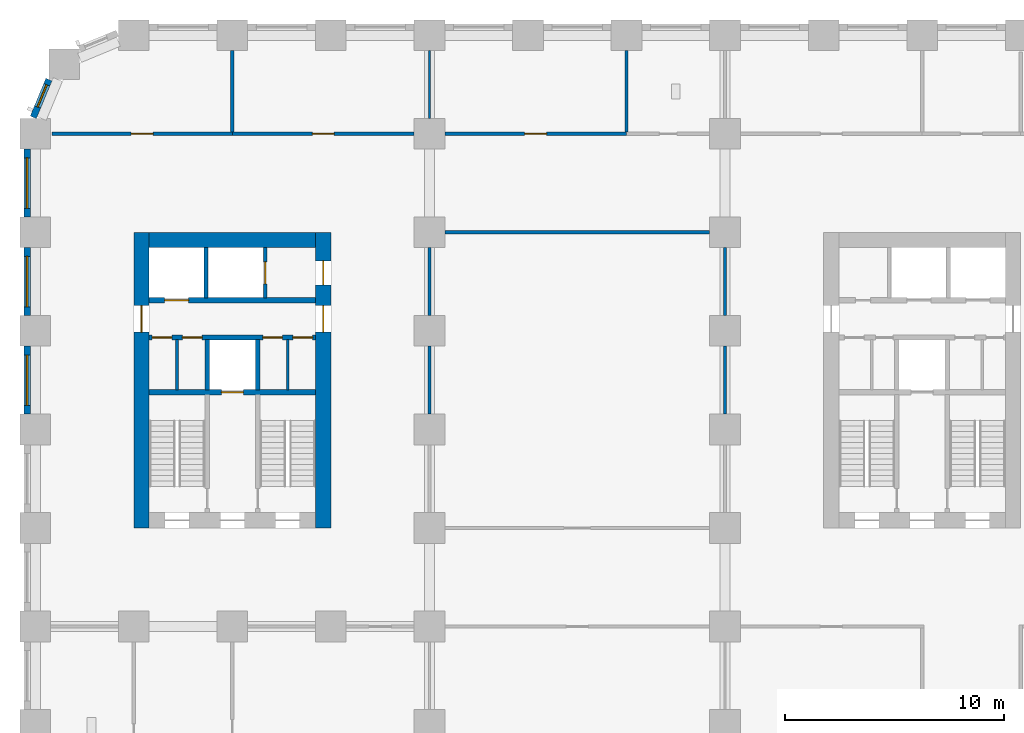
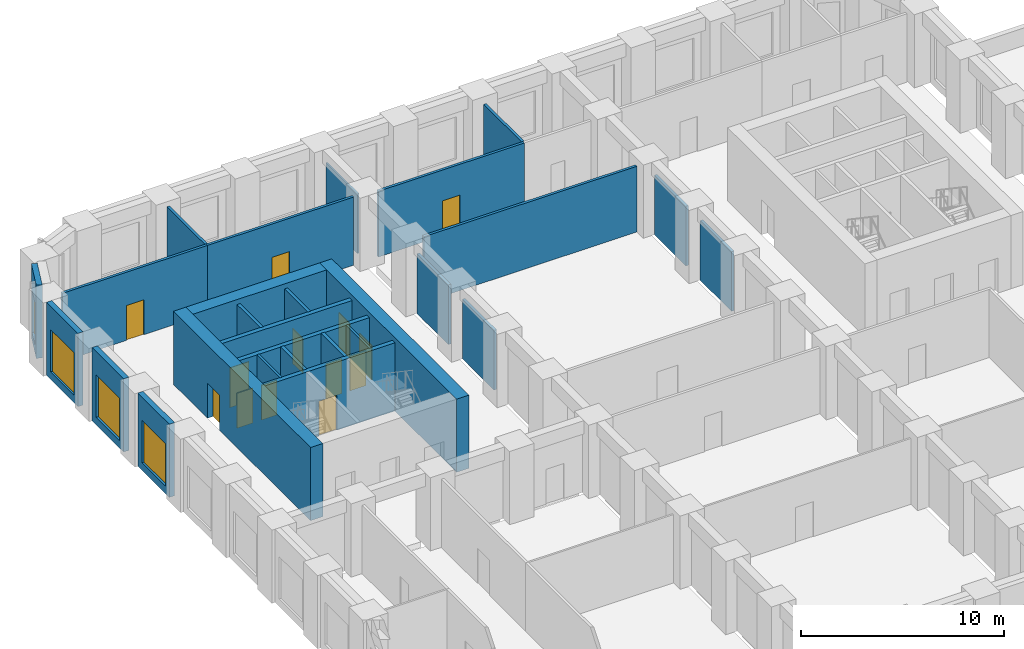
# One storey, part 6 of 14: 27 walls, 13 doors, 4 windows, 17 openings.
"""IFC4 building model written with IfcOpenShell, lengths in metres."""

from ifc_helpers import new_model, si_unit, direction, frame, frame_2d, origin, place, context, subcontext, project, spatial, rectangle, extrude, material, layer, layer_set, type_object, element, fill, save


model = new_model("IFC4")

# Units and contexts
model_context = context("Model", 3, precision=1e-05, world=origin(), true_north=direction((0.0, 1.0)))
body_context = subcontext(model_context, "Body", "Model", "MODEL_VIEW")
ifc_project = project(units=[si_unit("LENGTHUNIT", "METRE"), si_unit("AREAUNIT", "SQUARE_METRE"), si_unit("VOLUMEUNIT", "CUBIC_METRE"), si_unit("PLANEANGLEUNIT", "RADIAN"), si_unit("MASSUNIT", "GRAM", prefix="KILO")], contexts=[model_context])

# Site, building, storey
site_placement = place(None, origin())
site = spatial("IfcSite", under=ifc_project, at=site_placement, CompositionType="ELEMENT")
building_placement = place(site_placement, origin())
building = spatial("IfcBuilding", under=site, at=building_placement, Name="Girih Gate Residences", CompositionType="ELEMENT")
storey_placement = place(building_placement, frame((0.0, 0.0, 26.0)))
storey = spatial("IfcBuildingStorey", under=building, at=storey_placement, Name="L05", CompositionType="ELEMENT", Elevation=26.0)

# Walls
ifc_material_1 = material(Name="Gypsum board on steel studs", Category="steel")
ifc_layer_1 = layer(ifc_material_1, 0.14990234375)
ifc_layer_set_1 = layer_set([ifc_layer_1], Name="Compartment wall 150 mm")
wall_type_1 = type_object("IfcWallType", Name="Compartment wall 150 mm", PredefinedType="PARTITIONING", material=ifc_layer_set_1)
wall_1_placement = place(storey_placement, frame((18.699951171875, 40.5, 0.0), z_axis=(0.0, 0.0, 1.0), x_axis=(1.0, 0.0, 0.0)))
element("IfcWall", 1, at=wall_1_placement, inside=storey, type_object=wall_type_1, Name="L05 partition", PredefinedType="PARTITIONING", context=body_context, shape_type="SweptSolid", body=[
    extrude(rectangle(XDim=12.10009765625, YDim=0.14990234375, at=frame_2d((6.050048828125, 0.0))), origin(), (0.0, 0.0, 1.0), 3.949951171875),
])
for number, where, z_axis, x_axis, name in (
    (2, (31.5, 36.699951171875, 0.0), (0.0, 0.0, 1.0), (0.0, 1.0, 0.0), "L05 partition"),
    (3, (31.5, 32.199951171875, 0.0), (0.0, 0.0, 1.0), (0.0, 1.0, 0.0), "L05 partition"),
    (4, (18.0, 32.199951171875, 0.0), (0.0, 0.0, 1.0), (0.0, 1.0, 0.0), "L05 partition"),
    (5, (18.0, 36.699951171875, 0.0), (0.0, 0.0, 1.0), (0.0, 1.0, 0.0), "L05 partition"),
):
    element("IfcWall", number, at=place(storey_placement, frame(where, z_axis=z_axis, x_axis=x_axis)), inside=storey, type_object=wall_type_1, Name=name, PredefinedType="PARTITIONING", context=body_context, shape_type="SweptSolid", body=[
        extrude(rectangle(XDim=3.10009765625, YDim=0.14990234375, at=frame_2d((1.550048828125, 0.0))), origin(), (0.0, 0.0, 1.0), 3.580078125),
    ])
wall_2_placement = place(storey_placement, frame((27.0, 45.074951171875, 0.0), z_axis=(0.0, 0.0, 1.0), x_axis=(0.0, 1.0, 0.0)))
element("IfcWall", 6, at=wall_2_placement, inside=storey, type_object=wall_type_1, Name="L05 partition", PredefinedType="PARTITIONING", context=body_context, shape_type="SweptSolid", body=[
    extrude(rectangle(XDim=3.72509765625, YDim=0.14990234375, at=frame_2d((1.862548828125, 0.0))), origin(), (0.0, 0.0, 1.0), 3.949951171875),
])

# Wall, opening, door
wall_3_placement = place(storey_placement, frame((18.699951171875, 45.0, 0.0), z_axis=(0.0, 0.0, 1.0), x_axis=(1.0, 0.0, 0.0)))
wall_3 = element("IfcWall", 7, at=wall_3_placement, inside=storey, type_object=wall_type_1, Name="L05 partition", PredefinedType="PARTITIONING", context=body_context, shape_type="SweptSolid", body=[
    extrude(rectangle(XDim=8.300048828125, YDim=0.14990234375, at=frame_2d((4.14990234375, 0.0))), origin(), (0.0, 0.0, 1.0), 3.949951171875),
])
opening_1_placement = place(wall_3_placement, frame((3.64990234375, 0.0, 0.0)))
opening_1 = element("IfcOpeningElement", 8, at=opening_1_placement, cuts=wall_3, Name="Opening D-L05-S-003", PredefinedType="OPENING", context=body_context, shape_type="SweptSolid", body=[
    extrude(rectangle(XDim=1.0, YDim=2.10009765625, at=frame_2d((0.5, 1.050048828125))), frame((0.0, 0.0849609375, 0.0), z_axis=(0.0, -1.0, 0.0), x_axis=(1.0, 0.0, 0.0)), (0.0, 0.0, 1.0), 0.169921875),
])
ifc_material_2 = material(Name="Timber, fire-rated core", Category="wood")
door_type_1 = type_object("IfcDoorType", Name="Amenity door 1000x2100 FD30S", OperationType="SINGLE_SWING_LEFT", PredefinedType="DOOR", material=ifc_material_2)
door_1_placement = place(opening_1_placement, origin())
door_1 = element("IfcDoor", 9, at=door_1_placement, inside=storey, type_object=door_type_1, Name="Door L05-003", OperationType="SINGLE_SWING_RIGHT", OverallHeight=2.10009765625, OverallWidth=1.0, PredefinedType="DOOR", context=body_context, shape_type="SweptSolid", body=[
    extrude(rectangle(XDim=1.0, YDim=2.10009765625, at=frame_2d((0.5, 1.050048828125))), frame((0.0, 0.02490234375, 0.0), z_axis=(0.0, -1.0, 0.0), x_axis=(1.0, 0.0, 0.0)), (0.0, 0.0, 1.0), 0.050048828125),
])
fill(opening_1, door_1)

# Wall
wall_4_placement = place(storey_placement, frame((9.0, 45.074951171875, 0.0), z_axis=(0.0, 0.0, 1.0), x_axis=(0.0, 1.0, 0.0)))
element("IfcWall", 10, at=wall_4_placement, inside=storey, type_object=wall_type_1, Name="L05 partition", PredefinedType="PARTITIONING", context=body_context, shape_type="SweptSolid", body=[
    extrude(rectangle(XDim=3.72509765625, YDim=0.14990234375, at=frame_2d((1.862548828125, 0.0))), origin(), (0.0, 0.0, 1.0), 4.10009765625),
])

# Wall, opening, door
wall_5_placement = place(storey_placement, frame((0.757568359375, 45.0, 0.0), z_axis=(0.0, 0.0, 1.0), x_axis=(1.0, 0.0, 0.0)))
wall_5 = element("IfcWall", 11, at=wall_5_placement, inside=storey, type_object=wall_type_1, Name="L05 partition", PredefinedType="PARTITIONING", context=body_context, shape_type="SweptSolid", body=[
    extrude(rectangle(XDim=8.242431640625, YDim=0.14990234375, at=frame_2d((4.12109375, 0.0))), origin(), (0.0, 0.0, 1.0), 4.10009765625),
])
opening_2_placement = place(wall_5_placement, frame((3.62109375, 0.0, 0.0)))
opening_2 = element("IfcOpeningElement", 12, at=opening_2_placement, cuts=wall_5, Name="Opening D-L05-S-016", PredefinedType="OPENING", context=body_context, shape_type="SweptSolid", body=[
    extrude(rectangle(XDim=1.0, YDim=2.10009765625, at=frame_2d((0.5, 1.050048828125))), frame((0.0, 0.0849609375, 0.0), z_axis=(0.0, -1.0, 0.0), x_axis=(1.0, 0.0, 0.0)), (0.0, 0.0, 1.0), 0.169921875),
])
door_2_placement = place(opening_2_placement, origin())
door_2 = element("IfcDoor", 13, at=door_2_placement, inside=storey, type_object=door_type_1, Name="Door L05-016", OperationType="SINGLE_SWING_RIGHT", OverallHeight=2.10009765625, OverallWidth=1.0, PredefinedType="DOOR", context=body_context, shape_type="SweptSolid", body=[
    extrude(rectangle(XDim=1.0, YDim=2.10009765625, at=frame_2d((0.5, 1.050048828125))), frame((0.0, 0.02490234375, 0.0), z_axis=(0.0, -1.0, 0.0), x_axis=(1.0, 0.0, 0.0)), (0.0, 0.0, 1.0), 0.050048828125),
])
fill(opening_2, door_2)

wall_6_placement = place(storey_placement, frame((9.0, 45.0, 0.0), z_axis=(0.0, 0.0, 1.0), x_axis=(1.0, 0.0, 0.0)))
wall_6 = element("IfcWall", 14, at=wall_6_placement, inside=storey, type_object=wall_type_1, Name="L05 partition", PredefinedType="PARTITIONING", context=body_context, shape_type="SweptSolid", body=[
    extrude(rectangle(XDim=8.300048828125, YDim=0.14990234375, at=frame_2d((4.14990234375, 0.0))), origin(), (0.0, 0.0, 1.0), 4.10009765625),
])
opening_3_placement = place(wall_6_placement, frame((3.64990234375, 0.0, 0.0)))
opening_3 = element("IfcOpeningElement", 15, at=opening_3_placement, cuts=wall_6, Name="Opening D-L05-S-017", PredefinedType="OPENING", context=body_context, shape_type="SweptSolid", body=[
    extrude(rectangle(XDim=1.0, YDim=2.10009765625, at=frame_2d((0.5, 1.050048828125))), frame((0.0, 0.0849609375, 0.0), z_axis=(0.0, -1.0, 0.0), x_axis=(1.0, 0.0, 0.0)), (0.0, 0.0, 1.0), 0.169921875),
])
door_3_placement = place(opening_3_placement, origin())
door_3 = element("IfcDoor", 16, at=door_3_placement, inside=storey, type_object=door_type_1, Name="Door L05-017", OperationType="SINGLE_SWING_RIGHT", OverallHeight=2.10009765625, OverallWidth=1.0, PredefinedType="DOOR", context=body_context, shape_type="SweptSolid", body=[
    extrude(rectangle(XDim=1.0, YDim=2.10009765625, at=frame_2d((0.5, 1.050048828125))), frame((0.0, 0.02490234375, 0.0), z_axis=(0.0, -1.0, 0.0), x_axis=(1.0, 0.0, 0.0)), (0.0, 0.0, 1.0), 0.050048828125),
])
fill(opening_3, door_3)

# Wall
ifc_material_3 = material(Name="Concrete C60/75", Category="concrete")
ifc_layer_2 = layer(ifc_material_3, 0.699951171875)
ifc_layer_set_2 = layer_set([ifc_layer_2], Name="Core wall RC 700 Concrete C60/75")
wall_type_2 = type_object("IfcWallType", Name="Core wall RC 700 Concrete C60/75", PredefinedType="SOLIDWALL", material=ifc_layer_set_2)
wall_7_placement = place(storey_placement, frame((5.199951171875, 40.14990234375, 0.0), z_axis=(0.0, 0.0, 1.0), x_axis=(1.0, 0.0, 0.0)))
element("IfcWall", 17, at=wall_7_placement, inside=storey, type_object=wall_type_2, Name="Core wall W-N L05", PredefinedType="SOLIDWALL", context=body_context, shape_type="SweptSolid", body=[
    extrude(rectangle(XDim=7.60009765625, YDim=0.699951171875, at=frame_2d((3.800048828125, 0.0))), origin(), (0.0, 0.0, 1.0), 4.39990234375),
])

# Wall, opening, door
wall_8_placement = place(storey_placement, frame((4.85009765625, 27.0, 0.0), z_axis=(0.0, 0.0, 1.0), x_axis=(0.0, 1.0, 0.0)))
wall_8 = element("IfcWall", 18, at=wall_8_placement, inside=storey, type_object=wall_type_2, Name="Core wall W-W L05", PredefinedType="SOLIDWALL", context=body_context, shape_type="SweptSolid", body=[
    extrude(rectangle(XDim=13.5, YDim=0.699951171875, at=frame_2d((6.75, 0.0))), origin(), (0.0, 0.0, 1.0), 4.39990234375),
])
opening_4_placement = place(wall_8_placement, frame((8.949951171875, 0.0, 0.0)))
opening_4 = element("IfcOpeningElement", 19, at=opening_4_placement, cuts=wall_8, Name="Opening D-L05-W-014", PredefinedType="OPENING", context=body_context, shape_type="SweptSolid", body=[
    extrude(rectangle(XDim=1.199951171875, YDim=2.10009765625, at=frame_2d((0.60009765625, 1.050048828125))), frame((0.0, 0.35986328125, 0.0), z_axis=(0.0, -1.0, 0.0), x_axis=(1.0, 0.0, 0.0)), (0.0, 0.0, 1.0), 0.719970703125),
])
ifc_material_4 = material(Name="Painted steel, fire-resisting", Category="steel")
door_type_2 = type_object("IfcDoorType", Name="Fire door 1200x2100", OperationType="SINGLE_SWING_LEFT", PredefinedType="DOOR", material=ifc_material_4)
door_4_placement = place(opening_4_placement, origin())
door_4 = element("IfcDoor", 20, at=door_4_placement, inside=storey, type_object=door_type_2, Name="L05 W core door ll-w", OperationType="SINGLE_SWING_LEFT", OverallHeight=2.10009765625, OverallWidth=1.199951171875, PredefinedType="DOOR", context=body_context, shape_type="SweptSolid", body=[
    extrude(rectangle(XDim=1.199951171875, YDim=2.10009765625, at=frame_2d((0.60009765625, 1.050048828125))), frame((0.0, 0.02490234375, 0.0), z_axis=(0.0, -1.0, 0.0), x_axis=(1.0, 0.0, 0.0)), (0.0, 0.0, 1.0), 0.050048828125),
])
fill(opening_4, door_4)

# Wall, openings, doors
wall_9_placement = place(storey_placement, frame((13.14990234375, 27.0, 0.0), z_axis=(0.0, 0.0, 1.0), x_axis=(0.0, 1.0, 0.0)))
wall_9 = element("IfcWall", 21, at=wall_9_placement, inside=storey, type_object=wall_type_2, Name="Core wall W-E L05", PredefinedType="SOLIDWALL", context=body_context, shape_type="SweptSolid", body=[
    extrude(rectangle(XDim=13.5, YDim=0.699951171875, at=frame_2d((6.75, 0.0))), origin(), (0.0, 0.0, 1.0), 4.39990234375),
])
opening_5_placement = place(wall_9_placement, frame((11.10009765625, 0.0, 0.0)))
opening_5 = element("IfcOpeningElement", 22, at=opening_5_placement, cuts=wall_9, Name="Opening D-L05-W-013", PredefinedType="OPENING", context=body_context, shape_type="SweptSolid", body=[
    extrude(rectangle(XDim=1.10009765625, YDim=2.10009765625, at=frame_2d((0.550048828125, 1.050048828125))), frame((0.0, 0.35986328125, 0.0), z_axis=(0.0, -1.0, 0.0), x_axis=(1.0, 0.0, 0.0)), (0.0, 0.0, 1.0), 0.719970703125),
])
opening_6_placement = place(wall_9_placement, frame((8.949951171875, 0.0, 0.0)))
opening_6 = element("IfcOpeningElement", 23, at=opening_6_placement, cuts=wall_9, Name="Opening D-L05-W-015", PredefinedType="OPENING", context=body_context, shape_type="SweptSolid", body=[
    extrude(rectangle(XDim=1.199951171875, YDim=2.10009765625, at=frame_2d((0.60009765625, 1.050048828125))), frame((0.0, 0.35986328125, 0.0), z_axis=(0.0, -1.0, 0.0), x_axis=(1.0, 0.0, 0.0)), (0.0, 0.0, 1.0), 0.719970703125),
])
door_type_3 = type_object("IfcDoorType", Name="Fire door 1100x2100", OperationType="SINGLE_SWING_LEFT", PredefinedType="DOOR", material=ifc_material_4)
door_5_placement = place(opening_5_placement, origin())
door_5 = element("IfcDoor", 24, at=door_5_placement, inside=storey, type_object=door_type_3, Name="L05 W core door ffl2-e", OperationType="SINGLE_SWING_LEFT", OverallHeight=2.10009765625, OverallWidth=1.10009765625, PredefinedType="DOOR", context=body_context, shape_type="SweptSolid", body=[
    extrude(rectangle(XDim=1.10009765625, YDim=2.10009765625, at=frame_2d((0.550048828125, 1.050048828125))), frame((0.0, 0.02490234375, 0.0), z_axis=(0.0, -1.0, 0.0), x_axis=(1.0, 0.0, 0.0)), (0.0, 0.0, 1.0), 0.050048828125),
])
fill(opening_5, door_5)
door_6_placement = place(opening_6_placement, origin())
door_6 = element("IfcDoor", 25, at=door_6_placement, inside=storey, type_object=door_type_2, Name="L05 W core door ll-e", OperationType="SINGLE_SWING_LEFT", OverallHeight=2.10009765625, OverallWidth=1.199951171875, PredefinedType="DOOR", context=body_context, shape_type="SweptSolid", body=[
    extrude(rectangle(XDim=1.199951171875, YDim=2.10009765625, at=frame_2d((0.60009765625, 1.050048828125))), frame((0.0, 0.02490234375, 0.0), z_axis=(0.0, -1.0, 0.0), x_axis=(1.0, 0.0, 0.0)), (0.0, 0.0, 1.0), 0.050048828125),
])
fill(opening_6, door_6)

# Wall, opening, door
ifc_material_5 = material(Name="Concrete C40/50", Category="concrete")
ifc_layer_3 = layer(ifc_material_5, 0.25)
ifc_layer_set_3 = layer_set([ifc_layer_3], Name="Lift shaft wall 250")
wall_type_3 = type_object("IfcWallType", Name="Lift shaft wall 250", PredefinedType="SOLIDWALL", material=ifc_layer_set_3)
wall_10_placement = place(storey_placement, frame((5.199951171875, 33.199951171875, 0.0), z_axis=(0.0, 0.0, 1.0), x_axis=(1.0, 0.0, 0.0)))
wall_10 = element("IfcWall", 26, at=wall_10_placement, inside=storey, type_object=wall_type_3, Name="L05 W core wall H1", PredefinedType="SOLIDWALL", context=body_context, shape_type="SweptSolid", body=[
    extrude(rectangle(XDim=7.60009765625, YDim=0.25, at=frame_2d((3.800048828125, 0.0))), origin(), (0.0, 0.0, 1.0), 4.10009765625),
])
opening_7_placement = place(wall_10_placement, frame((3.300048828125, 0.0, 0.0)))
opening_7 = element("IfcOpeningElement", 27, at=opening_7_placement, cuts=wall_10, Name="Opening D-L05-W-005", PredefinedType="OPENING", context=body_context, shape_type="SweptSolid", body=[
    extrude(rectangle(XDim=1.0, YDim=2.10009765625, at=frame_2d((0.5, 1.050048828125))), frame((0.0, 0.135009765625, 0.0), z_axis=(0.0, -1.0, 0.0), x_axis=(1.0, 0.0, 0.0)), (0.0, 0.0, 1.0), 0.27001953125),
])
ifc_material_6 = material(Name="Stainless steel, fire-resisting", Category="steel")
door_type_4 = type_object("IfcDoorType", Name="Firefighting lift landing door 1000x2100", OperationType="SLIDING_TO_LEFT", PredefinedType="DOOR", material=ifc_material_6)
door_7_placement = place(opening_7_placement, origin())
door_7 = element("IfcDoor", 28, at=door_7_placement, inside=storey, type_object=door_type_4, Name="L05 lift FF-W landing door", OperationType="SLIDING_TO_LEFT", OverallHeight=2.10009765625, OverallWidth=1.0, PredefinedType="DOOR", context=body_context, shape_type="SweptSolid", body=[
    extrude(rectangle(XDim=1.0, YDim=2.10009765625, at=frame_2d((0.5, 1.050048828125))), frame((0.0, 0.02490234375, 0.0), z_axis=(0.0, -1.0, 0.0), x_axis=(1.0, 0.0, 0.0)), (0.0, 0.0, 1.0), 0.050048828125),
])
fill(opening_7, door_7)

# Wall, openings, doors
wall_11_placement = place(storey_placement, frame((5.199951171875, 35.699951171875, 0.0), z_axis=(0.0, 0.0, 1.0), x_axis=(1.0, 0.0, 0.0)))
wall_11 = element("IfcWall", 29, at=wall_11_placement, inside=storey, type_object=wall_type_3, Name="L05 W core wall H2", PredefinedType="SOLIDWALL", context=body_context, shape_type="SweptSolid", body=[
    extrude(rectangle(XDim=7.60009765625, YDim=0.25, at=frame_2d((3.800048828125, 0.0))), origin(), (0.0, 0.0, 1.0), 4.10009765625),
])
opening_8_placement = place(wall_11_placement, frame((0.137451171875, 0.0, 0.0)))
opening_8 = element("IfcOpeningElement", 30, at=opening_8_placement, cuts=wall_11, Name="Opening D-L05-W-006", PredefinedType="OPENING", context=body_context, shape_type="SweptSolid", body=[
    extrude(rectangle(XDim=0.89990234375, YDim=2.10009765625, at=frame_2d((0.449951171875, 1.050048828125))), frame((0.0, 0.135009765625, 0.0), z_axis=(0.0, -1.0, 0.0), x_axis=(1.0, 0.0, 0.0)), (0.0, 0.0, 1.0), 0.27001953125),
])
opening_9_placement = place(wall_11_placement, frame((1.512451171875, 0.0, 0.0)))
opening_9 = element("IfcOpeningElement", 31, at=opening_9_placement, cuts=wall_11, Name="Opening D-L05-W-007", PredefinedType="OPENING", context=body_context, shape_type="SweptSolid", body=[
    extrude(rectangle(XDim=0.89990234375, YDim=2.10009765625, at=frame_2d((0.449951171875, 1.050048828125))), frame((0.0, 0.135009765625, 0.0), z_axis=(0.0, -1.0, 0.0), x_axis=(1.0, 0.0, 0.0)), (0.0, 0.0, 1.0), 0.27001953125),
])
opening_10_placement = place(wall_11_placement, frame((5.1875, 0.0, 0.0)))
opening_10 = element("IfcOpeningElement", 32, at=opening_10_placement, cuts=wall_11, Name="Opening D-L05-W-008", PredefinedType="OPENING", context=body_context, shape_type="SweptSolid", body=[
    extrude(rectangle(XDim=0.89990234375, YDim=2.10009765625, at=frame_2d((0.449951171875, 1.050048828125))), frame((0.0, 0.135009765625, 0.0), z_axis=(0.0, -1.0, 0.0), x_axis=(1.0, 0.0, 0.0)), (0.0, 0.0, 1.0), 0.27001953125),
])
opening_11_placement = place(wall_11_placement, frame((6.5625, 0.0, 0.0)))
opening_11 = element("IfcOpeningElement", 33, at=opening_11_placement, cuts=wall_11, Name="Opening D-L05-W-009", PredefinedType="OPENING", context=body_context, shape_type="SweptSolid", body=[
    extrude(rectangle(XDim=0.89990234375, YDim=2.10009765625, at=frame_2d((0.449951171875, 1.050048828125))), frame((0.0, 0.135009765625, 0.0), z_axis=(0.0, -1.0, 0.0), x_axis=(1.0, 0.0, 0.0)), (0.0, 0.0, 1.0), 0.27001953125),
])
door_type_5 = type_object("IfcDoorType", Name="Fire door 900x2100", OperationType="SINGLE_SWING_LEFT", PredefinedType="DOOR", material=ifc_material_4)
door_8_placement = place(opening_8_placement, origin())
door_8 = element("IfcDoor", 34, at=door_8_placement, inside=storey, type_object=door_type_5, Name="L05 W linen store door", OperationType="SINGLE_SWING_LEFT", OverallHeight=2.10009765625, OverallWidth=0.89990234375, PredefinedType="DOOR", context=body_context, shape_type="SweptSolid", body=[
    extrude(rectangle(XDim=0.89990234375, YDim=2.10009765625, at=frame_2d((0.449951171875, 1.050048828125))), frame((0.0, 0.02490234375, 0.0), z_axis=(0.0, -1.0, 0.0), x_axis=(1.0, 0.0, 0.0)), (0.0, 0.0, 1.0), 0.050048828125),
])
fill(opening_8, door_8)
door_9_placement = place(opening_9_placement, origin())
door_9 = element("IfcDoor", 35, at=door_9_placement, inside=storey, type_object=door_type_5, Name="L05 W store door", OperationType="SINGLE_SWING_LEFT", OverallHeight=2.10009765625, OverallWidth=0.89990234375, PredefinedType="DOOR", context=body_context, shape_type="SweptSolid", body=[
    extrude(rectangle(XDim=0.89990234375, YDim=2.10009765625, at=frame_2d((0.449951171875, 1.050048828125))), frame((0.0, 0.02490234375, 0.0), z_axis=(0.0, -1.0, 0.0), x_axis=(1.0, 0.0, 0.0)), (0.0, 0.0, 1.0), 0.050048828125),
])
fill(opening_9, door_9)
door_10_placement = place(opening_10_placement, origin())
door_10 = element("IfcDoor", 36, at=door_10_placement, inside=storey, type_object=door_type_5, Name="L05 W housekeeping store door", OperationType="SINGLE_SWING_LEFT", OverallHeight=2.10009765625, OverallWidth=0.89990234375, PredefinedType="DOOR", context=body_context, shape_type="SweptSolid", body=[
    extrude(rectangle(XDim=0.89990234375, YDim=2.10009765625, at=frame_2d((0.449951171875, 1.050048828125))), frame((0.0, 0.02490234375, 0.0), z_axis=(0.0, -1.0, 0.0), x_axis=(1.0, 0.0, 0.0)), (0.0, 0.0, 1.0), 0.050048828125),
])
fill(opening_10, door_10)
door_11_placement = place(opening_11_placement, origin())
door_11 = element("IfcDoor", 37, at=door_11_placement, inside=storey, type_object=door_type_5, Name="L05 W refuse store door", OperationType="SINGLE_SWING_LEFT", OverallHeight=2.10009765625, OverallWidth=0.89990234375, PredefinedType="DOOR", context=body_context, shape_type="SweptSolid", body=[
    extrude(rectangle(XDim=0.89990234375, YDim=2.10009765625, at=frame_2d((0.449951171875, 1.050048828125))), frame((0.0, 0.02490234375, 0.0), z_axis=(0.0, -1.0, 0.0), x_axis=(1.0, 0.0, 0.0)), (0.0, 0.0, 1.0), 0.050048828125),
])
fill(opening_11, door_11)

# Wall, opening, door
wall_12_placement = place(storey_placement, frame((5.199951171875, 37.39990234375, 0.0), z_axis=(0.0, 0.0, 1.0), x_axis=(1.0, 0.0, 0.0)))
wall_12 = element("IfcWall", 38, at=wall_12_placement, inside=storey, type_object=wall_type_3, Name="L05 W core wall H3", PredefinedType="SOLIDWALL", context=body_context, shape_type="SweptSolid", body=[
    extrude(rectangle(XDim=7.60009765625, YDim=0.25, at=frame_2d((3.800048828125, 0.0))), origin(), (0.0, 0.0, 1.0), 4.10009765625),
])
opening_12_placement = place(wall_12_placement, frame((0.699951171875, 0.0, 0.0)))
opening_12 = element("IfcOpeningElement", 39, at=opening_12_placement, cuts=wall_12, Name="Opening D-L05-W-003", PredefinedType="OPENING", context=body_context, shape_type="SweptSolid", body=[
    extrude(rectangle(XDim=1.10009765625, YDim=2.39990234375, at=frame_2d((0.550048828125, 1.199951171875))), frame((0.0, 0.135009765625, 0.0), z_axis=(0.0, -1.0, 0.0), x_axis=(1.0, 0.0, 0.0)), (0.0, 0.0, 1.0), 0.27001953125),
])
ifc_material_7 = material(Name="Stainless steel", Category="steel")
door_type_6 = type_object("IfcDoorType", Name="Lift landing door 1100x2400", OperationType="SLIDING_TO_LEFT", PredefinedType="DOOR", material=ifc_material_7)
door_12_placement = place(opening_12_placement, origin())
door_12 = element("IfcDoor", 40, at=door_12_placement, inside=storey, type_object=door_type_6, Name="L05 lift LR-W1 landing door", OperationType="SLIDING_TO_LEFT", OverallHeight=2.39990234375, OverallWidth=1.10009765625, PredefinedType="DOOR", context=body_context, shape_type="SweptSolid", body=[
    extrude(rectangle(XDim=1.10009765625, YDim=2.39990234375, at=frame_2d((0.550048828125, 1.199951171875))), frame((0.0, 0.02490234375, 0.0), z_axis=(0.0, -1.0, 0.0), x_axis=(1.0, 0.0, 0.0)), (0.0, 0.0, 1.0), 0.050048828125),
])
fill(opening_12, door_12)

# Wall
ifc_layer_4 = layer(ifc_material_1, 0.10009765625)
ifc_layer_set_4 = layer_set([ifc_layer_4], Name="Partition 100 mm")
wall_type_4 = type_object("IfcWallType", Name="Partition 100 mm", PredefinedType="PARTITIONING", material=ifc_layer_set_4)
wall_13_placement = place(storey_placement, frame((18.0, 45.699951171875, 0.0), z_axis=(0.0, 0.0, 1.0), x_axis=(0.0, 1.0, 0.0)))
element("IfcWall", 41, at=wall_13_placement, inside=storey, type_object=wall_type_4, Name="L05 partition", PredefinedType="PARTITIONING", context=body_context, shape_type="SweptSolid", body=[
    extrude(rectangle(XDim=3.10009765625, YDim=0.10009765625, at=frame_2d((1.550048828125, 0.0))), origin(), (0.0, 0.0, 1.0), 3.580078125),
])

# Wall, opening, window
ifc_material_8 = material(Name="Precast concrete C50/60", Category="concrete")
ifc_layer_5 = layer(ifc_material_8, 0.080078125, Name="Outer leaf")
ifc_material_9 = material(Name="Rigid PIR insulation")
ifc_layer_6 = layer(ifc_material_9, 0.14990234375, Name="Insulation")
ifc_material_10 = material(Name="Precast concrete C40/50", Category="concrete")
ifc_layer_7 = layer(ifc_material_10, 0.070068359375, Name="Inner leaf")
ifc_layer_set_5 = layer_set([ifc_layer_5, ifc_layer_6, ifc_layer_7], Name="Precast concrete C50/60 external wall 300")
wall_type_5 = type_object("IfcWallType", Name="Precast concrete C50/60 external wall 300", PredefinedType="SOLIDWALL", material=ifc_layer_set_5)
wall_14_placement = place(storey_placement, frame((-0.09228515625, 45.75732421875, 0.0), z_axis=(0.0, 0.0, 1.0), x_axis=(0.382737135771, 0.923857286003, 0.0)))
wall_14 = element("IfcWall", 42, at=wall_14_placement, inside=storey, type_object=wall_type_5, Name="External wall NW0013_0482.0", PredefinedType="SOLIDWALL", context=body_context, shape_type="SweptSolid", body=[
    extrude(rectangle(XDim=1.865234375, YDim=0.300048828125, at=frame_2d((0.9326171875, 0.0))), origin(), (0.0, 0.0, 1.0), 4.39990234375),
])
opening_13_placement = place(wall_14_placement, frame((0.507568359375, 0.0, 0.449951171875)))
opening_13 = element("IfcOpeningElement", 43, at=opening_13_placement, cuts=wall_14, Name="Opening W-2B", PredefinedType="OPENING", context=body_context, shape_type="SweptSolid", body=[
    extrude(rectangle(XDim=1.10009765625, YDim=2.550048828125, at=frame_2d((0.550048828125, 1.27490234375))), frame((0.0, 0.159912109375, 0.0), z_axis=(0.0, -1.0, 0.0), x_axis=(1.0, 0.0, 0.0)), (0.0, 0.0, 1.0), 0.320068359375),
])
ifc_material_11 = material(Name="Double glazing in aluminium frame", Category="aluminium")
window_type_1 = type_object("IfcWindowType", Name="Window W-2B 1100x2550", PartitioningType="SINGLE_PANEL", PredefinedType="WINDOW", material=ifc_material_11)
window_1_placement = place(opening_13_placement, origin())
window_1 = element("IfcWindow", 44, at=window_1_placement, inside=storey, type_object=window_type_1, Name="Window W-2B NW0013_0482.0", OverallHeight=2.550048828125, OverallWidth=1.10009765625, PartitioningType="SINGLE_PANEL", PredefinedType="WINDOW", context=body_context, shape_type="SweptSolid", body=[
    extrude(rectangle(XDim=1.10009765625, YDim=2.550048828125, at=frame_2d((0.550048828125, 1.27490234375))), frame((0.0, 0.030029296875, 0.0), z_axis=(0.0, -1.0, 0.0), x_axis=(1.0, 0.0, 0.0)), (0.0, 0.0, 1.0), 0.06005859375),
])
fill(opening_13, window_1)

wall_15_placement = place(storey_placement, frame((-0.375, 41.199951171875, 0.0), z_axis=(0.0, 0.0, 1.0), x_axis=(0.0, 1.0, 0.0)))
wall_15 = element("IfcWall", 45, at=wall_15_placement, inside=storey, type_object=wall_type_5, Name="External wall W0000_0450.0", PredefinedType="SOLIDWALL", context=body_context, shape_type="SweptSolid", body=[
    extrude(rectangle(XDim=3.10009765625, YDim=0.300048828125, at=frame_2d((1.550048828125, 0.0))), origin(), (0.0, 0.0, 1.0), 4.39990234375),
])
opening_14_placement = place(wall_15_placement, frame((0.39990234375, 0.0, 0.449951171875)))
opening_14 = element("IfcOpeningElement", 46, at=opening_14_placement, cuts=wall_15, Name="Opening W-6", PredefinedType="OPENING", context=body_context, shape_type="SweptSolid", body=[
    extrude(rectangle(XDim=2.300048828125, YDim=2.550048828125, at=frame_2d((1.14990234375, 1.27490234375))), frame((0.0, 0.159912109375, 0.0), z_axis=(0.0, -1.0, 0.0), x_axis=(1.0, 0.0, 0.0)), (0.0, 0.0, 1.0), 0.320068359375),
])
window_type_2 = type_object("IfcWindowType", Name="Window W-6 2300x2550", PartitioningType="SINGLE_PANEL", PredefinedType="WINDOW", material=ifc_material_11)
window_2_placement = place(opening_14_placement, origin())
window_2 = element("IfcWindow", 47, at=window_2_placement, inside=storey, type_object=window_type_2, Name="Window W-6 W0000_0450.0", OverallHeight=2.550048828125, OverallWidth=2.300048828125, PartitioningType="SINGLE_PANEL", PredefinedType="WINDOW", context=body_context, shape_type="SweptSolid", body=[
    extrude(rectangle(XDim=2.300048828125, YDim=2.550048828125, at=frame_2d((1.14990234375, 1.27490234375))), frame((0.0, 0.030029296875, 0.0), z_axis=(0.0, -1.0, 0.0), x_axis=(1.0, 0.0, 0.0)), (0.0, 0.0, 1.0), 0.06005859375),
])
fill(opening_14, window_2)

wall_16_placement = place(storey_placement, frame((-0.375, 36.699951171875, 0.0), z_axis=(0.0, 0.0, 1.0), x_axis=(0.0, 1.0, 0.0)))
wall_16 = element("IfcWall", 48, at=wall_16_placement, inside=storey, type_object=wall_type_5, Name="External wall W0000_0450.1", PredefinedType="SOLIDWALL", context=body_context, shape_type="SweptSolid", body=[
    extrude(rectangle(XDim=3.10009765625, YDim=0.300048828125, at=frame_2d((1.550048828125, 0.0))), origin(), (0.0, 0.0, 1.0), 4.39990234375),
])
opening_15_placement = place(wall_16_placement, frame((0.39990234375, 0.0, 0.449951171875)))
opening_15 = element("IfcOpeningElement", 49, at=opening_15_placement, cuts=wall_16, Name="Opening W-6", PredefinedType="OPENING", context=body_context, shape_type="SweptSolid", body=[
    extrude(rectangle(XDim=2.300048828125, YDim=2.550048828125, at=frame_2d((1.14990234375, 1.27490234375))), frame((0.0, 0.159912109375, 0.0), z_axis=(0.0, -1.0, 0.0), x_axis=(1.0, 0.0, 0.0)), (0.0, 0.0, 1.0), 0.320068359375),
])
window_3_placement = place(opening_15_placement, origin())
window_3 = element("IfcWindow", 50, at=window_3_placement, inside=storey, type_object=window_type_2, Name="Window W-6 W0000_0450.1", OverallHeight=2.550048828125, OverallWidth=2.300048828125, PartitioningType="SINGLE_PANEL", PredefinedType="WINDOW", context=body_context, shape_type="SweptSolid", body=[
    extrude(rectangle(XDim=2.300048828125, YDim=2.550048828125, at=frame_2d((1.14990234375, 1.27490234375))), frame((0.0, 0.030029296875, 0.0), z_axis=(0.0, -1.0, 0.0), x_axis=(1.0, 0.0, 0.0)), (0.0, 0.0, 1.0), 0.06005859375),
])
fill(opening_15, window_3)

wall_17_placement = place(storey_placement, frame((-0.375, 32.199951171875, 0.0), z_axis=(0.0, 0.0, 1.0), x_axis=(0.0, 1.0, 0.0)))
wall_17 = element("IfcWall", 51, at=wall_17_placement, inside=storey, type_object=wall_type_5, Name="External wall W0000_0450.2", PredefinedType="SOLIDWALL", context=body_context, shape_type="SweptSolid", body=[
    extrude(rectangle(XDim=3.10009765625, YDim=0.300048828125, at=frame_2d((1.550048828125, 0.0))), origin(), (0.0, 0.0, 1.0), 4.39990234375),
])
opening_16_placement = place(wall_17_placement, frame((0.39990234375, 0.0, 0.449951171875)))
opening_16 = element("IfcOpeningElement", 52, at=opening_16_placement, cuts=wall_17, Name="Opening W-6", PredefinedType="OPENING", context=body_context, shape_type="SweptSolid", body=[
    extrude(rectangle(XDim=2.300048828125, YDim=2.550048828125, at=frame_2d((1.14990234375, 1.27490234375))), frame((0.0, 0.159912109375, 0.0), z_axis=(0.0, -1.0, 0.0), x_axis=(1.0, 0.0, 0.0)), (0.0, 0.0, 1.0), 0.320068359375),
])
window_4_placement = place(opening_16_placement, origin())
window_4 = element("IfcWindow", 53, at=window_4_placement, inside=storey, type_object=window_type_2, Name="Window W-6 W0000_0450.2", OverallHeight=2.550048828125, OverallWidth=2.300048828125, PartitioningType="SINGLE_PANEL", PredefinedType="WINDOW", context=body_context, shape_type="SweptSolid", body=[
    extrude(rectangle(XDim=2.300048828125, YDim=2.550048828125, at=frame_2d((1.14990234375, 1.27490234375))), frame((0.0, 0.030029296875, 0.0), z_axis=(0.0, -1.0, 0.0), x_axis=(1.0, 0.0, 0.0)), (0.0, 0.0, 1.0), 0.06005859375),
])
fill(opening_16, window_4)

# Wall
ifc_layer_8 = layer(ifc_material_5, 0.175048828125)
ifc_layer_set_6 = layer_set([ifc_layer_8], Name="Riser shaft wall 175")
wall_type_6 = type_object("IfcWallType", Name="Riser shaft wall 175", PredefinedType="SOLIDWALL", material=ifc_layer_set_6)
wall_18_placement = place(storey_placement, frame((7.800048828125, 37.5, 0.0), z_axis=(0.0, 0.0, 1.0), x_axis=(0.0, 1.0, 0.0)))
element("IfcWall", 54, at=wall_18_placement, inside=storey, type_object=wall_type_6, Name="L05 W core wall V1c", PredefinedType="SOLIDWALL", context=body_context, shape_type="SweptSolid", body=[
    extrude(rectangle(XDim=2.300048828125, YDim=0.175048828125, at=frame_2d((1.14990234375, 0.0))), origin(), (0.0, 0.0, 1.0), 4.10009765625),
])

# Wall, opening, door
wall_19_placement = place(storey_placement, frame((10.5, 37.5, 0.0), z_axis=(0.0, 0.0, 1.0), x_axis=(0.0, 1.0, 0.0)))
wall_19 = element("IfcWall", 55, at=wall_19_placement, inside=storey, type_object=wall_type_6, Name="L05 W core wall V2c", PredefinedType="SOLIDWALL", context=body_context, shape_type="SweptSolid", body=[
    extrude(rectangle(XDim=2.300048828125, YDim=0.175048828125, at=frame_2d((1.14990234375, 0.0))), origin(), (0.0, 0.0, 1.0), 4.10009765625),
])
opening_17_placement = place(wall_19_placement, frame((0.64990234375, 0.0, 0.0)))
opening_17 = element("IfcOpeningElement", 56, at=opening_17_placement, cuts=wall_19, Name="Opening D-L05-W-004", PredefinedType="OPENING", context=body_context, shape_type="SweptSolid", body=[
    extrude(rectangle(XDim=1.0, YDim=2.10009765625, at=frame_2d((0.5, 1.050048828125))), frame((0.0, 0.097412109375, 0.0), z_axis=(0.0, -1.0, 0.0), x_axis=(1.0, 0.0, 0.0)), (0.0, 0.0, 1.0), 0.195068359375),
])
door_13_placement = place(opening_17_placement, origin())
door_13 = element("IfcDoor", 57, at=door_13_placement, inside=storey, type_object=door_type_4, Name="L05 lift FF-W2 landing door", OperationType="SLIDING_TO_LEFT", OverallHeight=2.10009765625, OverallWidth=1.0, PredefinedType="DOOR", context=body_context, shape_type="SweptSolid", body=[
    extrude(rectangle(XDim=1.0, YDim=2.10009765625, at=frame_2d((0.5, 1.050048828125))), frame((0.0, 0.02490234375, 0.0), z_axis=(0.0, -1.0, 0.0), x_axis=(1.0, 0.0, 0.0)), (0.0, 0.0, 1.0), 0.050048828125),
])
fill(opening_17, door_13)

# Walls
ifc_layer_9 = layer(ifc_material_5, 0.199951171875)
ifc_layer_set_7 = layer_set([ifc_layer_9], Name="Shaft wall 200")
wall_type_7 = type_object("IfcWallType", Name="Shaft wall 200", PredefinedType="SOLIDWALL", material=ifc_layer_set_7)
for number, where, z_axis, x_axis, name in (
    (58, (7.85009765625, 33.300048828125, 0.0), (0.0, 0.0, 1.0), (0.0, 1.0, 0.0), "L05 W core wall V1b"),
    (59, (10.14990234375, 33.300048828125, 0.0), (0.0, 0.0, 1.0), (0.0, 1.0, 0.0), "L05 W core wall V2b"),
):
    element("IfcWall", number, at=place(storey_placement, frame(where, z_axis=z_axis, x_axis=x_axis)), inside=storey, type_object=wall_type_7, Name=name, PredefinedType="SOLIDWALL", context=body_context, shape_type="SweptSolid", body=[
        extrude(rectangle(XDim=2.300048828125, YDim=0.199951171875, at=frame_2d((1.14990234375, 0.0))), origin(), (0.0, 0.0, 1.0), 4.10009765625),
    ])
ifc_material_12 = material(Name="Calcium silicate blockwork", Category="masonry")
ifc_layer_10 = layer(ifc_material_12, 0.125)
ifc_layer_set_8 = layer_set([ifc_layer_10], Name="Store partition 125")
wall_type_8 = type_object("IfcWallType", Name="Store partition 125", PredefinedType="PARTITIONING", material=ifc_layer_set_8)
for number, where, z_axis, x_axis, name in (
    (60, (6.47509765625, 33.300048828125, 0.0), (0.0, 0.0, 1.0), (0.0, 1.0, 0.0), "L05 W core wall SHR1"),
    (61, (11.52490234375, 33.300048828125, 0.0), (0.0, 0.0, 1.0), (0.0, 1.0, 0.0), "L05 W core wall SHR2"),
):
    element("IfcWall", number, at=place(storey_placement, frame(where, z_axis=z_axis, x_axis=x_axis)), inside=storey, type_object=wall_type_8, Name=name, PredefinedType="PARTITIONING", context=body_context, shape_type="SweptSolid", body=[
        extrude(rectangle(XDim=2.300048828125, YDim=0.125, at=frame_2d((1.14990234375, 0.0))), origin(), (0.0, 0.0, 1.0), 4.10009765625),
    ])

save(model, "model.ifc")
